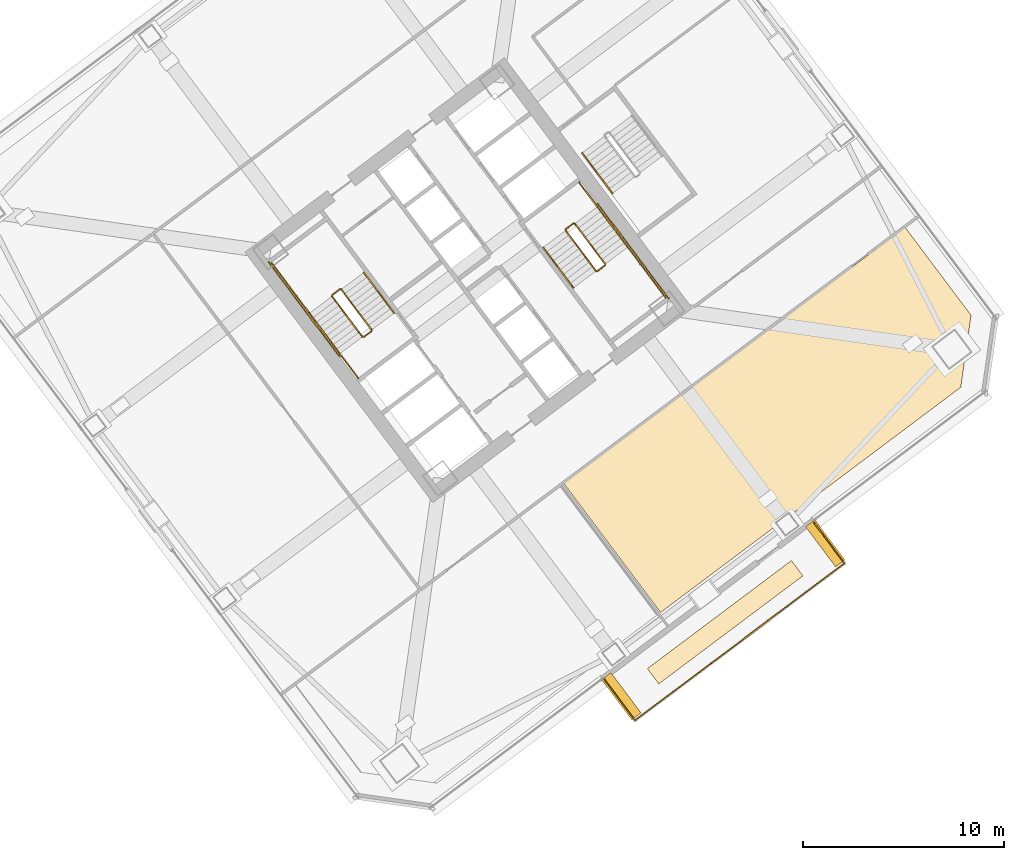
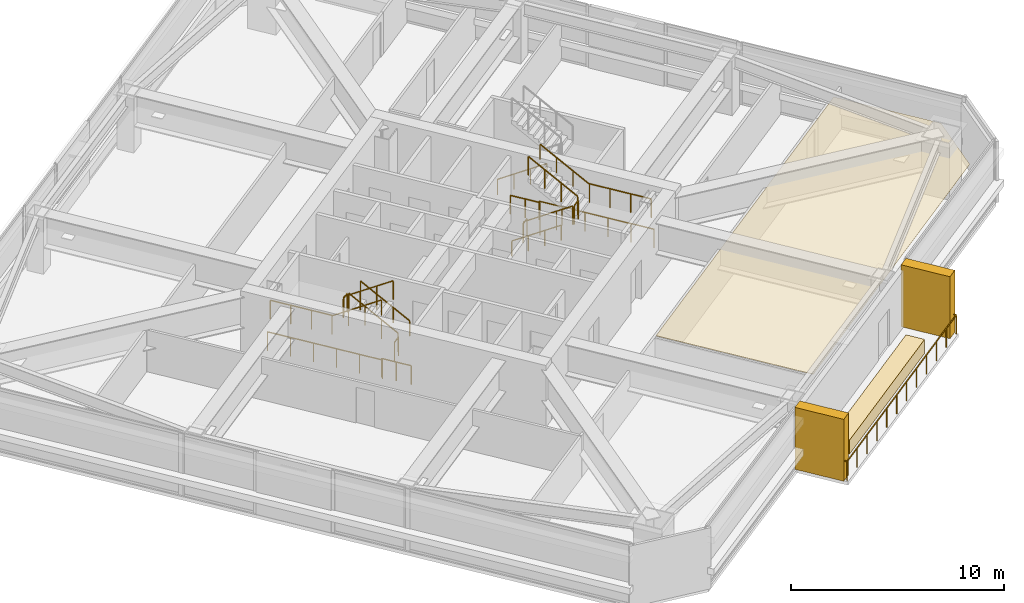
# One storey, part 46 of 49: 22 railings, 4 coverings.
"""IFC4 building model written with IfcOpenShell, lengths in metres."""

from ifc_helpers import new_model, si_unit, direction, frame, origin, origin_2d, place, context, subcontext, project, spatial, polyline, rectangle, outline, extrude, material, layer, layer_set, type_object, element, save


model = new_model("IFC4")

# Units and contexts
model_context = context("Model", 3, precision=1e-05, world=origin(), true_north=direction((0.0, 1.0)))
body_context = subcontext(model_context, "Body", "Model", "MODEL_VIEW")
ifc_project = project(units=[si_unit("LENGTHUNIT", "METRE"), si_unit("AREAUNIT", "SQUARE_METRE"), si_unit("VOLUMEUNIT", "CUBIC_METRE"), si_unit("PLANEANGLEUNIT", "RADIAN"), si_unit("MASSUNIT", "GRAM", prefix="KILO")], contexts=[model_context])

# Site, building, storey
site_placement = place(None, origin())
site = spatial("IfcSite", under=ifc_project, at=site_placement, CompositionType="ELEMENT")
building_placement = place(site_placement, origin())
building = spatial("IfcBuilding", under=site, at=building_placement, Name="Tashvorn Skyway Center", CompositionType="ELEMENT")
storey_placement = place(building_placement, frame((0.0, 0.0, 106.25)))
storey = spatial("IfcBuildingStorey", under=building, at=storey_placement, Name="L28", CompositionType="ELEMENT", Elevation=106.25)

# Coverings
ifc_material_1 = material(Name="Mineral-fibre acoustic ceiling tile on suspended grid")
ifc_layer_1 = layer(ifc_material_1, 0.02001953125)
ifc_layer_set_1 = layer_set([ifc_layer_1], Name="Mineral-fibre acoustic ceiling tile on suspended grid")
covering_type_1 = type_object("IfcCoveringType", Name="COV-CEIL-20", PredefinedType="CEILING", material=ifc_layer_set_1)
covering_1_placement = place(storey_placement, frame((0.0, 0.0, 2.373046875)))
element("IfcCovering", 1, at=covering_1_placement, inside=storey, type_object=covering_type_1, Name="Tower 2 L28 Security Control Room Acoustic Ceiling", PredefinedType="CEILING", context=body_context, shape_type="SweptSolid", body=[
    extrude(outline(polyline([(123.56396484375, 15.447998046875), (118.739990234375, 21.8798828125), (135.748046875, 34.635986328125), (139.035888671875, 30.251953125), (138.52392578125, 26.66796875), (123.56396484375, 15.447998046875)])), origin(), (0.0, 0.0, 1.0), 0.02001953125),
])
ifc_material_2 = material(Name="Precast concrete C40/50", Category="concrete")
ifc_layer_2 = layer(ifc_material_2, 0.35009765625)
ifc_layer_set_2 = layer_set([ifc_layer_2], Name="Precast concrete C40/50")
covering_type_2 = type_object("IfcCoveringType", Name="COV-STONE-TRIM", PredefinedType="CLADDING", material=ifc_layer_set_2)
for number, where, z_axis, x_axis, name in (
    (2, (131.77001953125, 18.889892578125, 0.0), (0.0, 0.0, 1.0), (-0.799999996291, -0.600000004945, 0.0), "Tower 2 L28 Sky Garden Loggia Pier L"),
    (3, (121.610107421875, 11.27001953125, 0.0), (0.0, 0.0, 1.0), (-0.799999996291, -0.600000004945, 0.0), "Tower 2 L28 Sky Garden Loggia Pier R"),
):
    element("IfcCovering", number, at=place(storey_placement, frame(where, z_axis=z_axis, x_axis=x_axis)), inside=storey, type_object=covering_type_2, Name=name, PredefinedType="CLADDING", context=body_context, shape_type="SweptSolid", body=[
        extrude(rectangle(XDim=0.580078125, YDim=2.5, at=origin_2d()), origin(), (0.0, 0.0, 1.0), 3.550048828125),
    ])
covering_2_placement = place(storey_placement, frame((126.780029296875, 14.9599609375, 0.0), z_axis=(0.0, 0.0, 1.0), x_axis=(-0.799999996291, -0.600000004945, 0.0)))
element("IfcCovering", 4, at=covering_2_placement, inside=storey, type_object=covering_type_2, Name="Tower 2 L28 Sky Garden Stone Planter Bed", PredefinedType="CLADDING", context=body_context, shape_type="SweptSolid", body=[
    extrude(rectangle(XDim=8.97607421875, YDim=0.949951171875, at=origin_2d()), origin(), (0.0, 0.0, 1.0), 0.800048828125),
])

# Railings
ifc_material_3 = material(Name="Galvanized steel S355", Category="steel")
railing_type_1 = type_object("IfcRailingType", Name="RAIL-GUARD-1120", PredefinedType="GUARDRAIL", material=ifc_material_3)
railing_1_placement = place(storey_placement, frame((120.783935546875, 12.087890625, 0.0)))
element("IfcRailing", 5, at=railing_1_placement, inside=storey, type_object=railing_type_1, Name="L28 Tower 2 Terrace Guardrail 01", PredefinedType="GUARDRAIL", context=body_context, shape_type="SweptSolid", body=[
    extrude(rectangle(XDim=0.048095703125, YDim=0.048095703125, at=origin_2d()), frame((0.0, 0.0, 1.09619140625), z_axis=(0.60001550166, -0.79998837352, 0.0), x_axis=(0.79998837352, 0.60001550166, 0.0)), (0.0, 0.0, 1.0), 2.519775390625),
    extrude(rectangle(XDim=0.0419921875, YDim=0.0419921875, at=origin_2d()), origin(), (0.0, 0.0, 1.0), 1.072021484375),
    extrude(rectangle(XDim=0.0419921875, YDim=0.0419921875, at=origin_2d()), frame((0.50390625, -0.671875, 0.0)), (0.0, 0.0, 1.0), 1.072021484375),
    extrude(rectangle(XDim=0.0419921875, YDim=0.0419921875, at=origin_2d()), frame((1.008056640625, -1.343994140625, 0.0)), (0.0, 0.0, 1.0), 1.072021484375),
    extrude(rectangle(XDim=0.0419921875, YDim=0.0419921875, at=origin_2d()), frame((1.511962890625, -2.015869140625, 0.0)), (0.0, 0.0, 1.0), 1.072021484375),
])
railing_2_placement = place(storey_placement, frame((122.2958984375, 10.072021484375, 0.0)))
element("IfcRailing", 6, at=railing_2_placement, inside=storey, type_object=railing_type_1, Name="L28 Tower 2 Terrace Guardrail 02", PredefinedType="GUARDRAIL", context=body_context, shape_type="SweptSolid", body=[
    extrude(rectangle(XDim=0.048095703125, YDim=0.048095703125, at=origin_2d()), frame((0.0, 0.0, 1.09619140625), z_axis=(0.800004493333, 0.599994008843, 0.0), x_axis=(-0.599994008843, 0.800004493333, 0.0)), (0.0, 0.0, 1.0), 13.0400390625),
    extrude(rectangle(XDim=0.0419921875, YDim=0.0419921875, at=origin_2d()), origin(), (0.0, 0.0, 1.0), 1.072021484375),
    extrude(rectangle(XDim=0.0419921875, YDim=0.0419921875, at=origin_2d()), frame((0.948486328125, 0.711181640625, 0.0)), (0.0, 0.0, 1.0), 1.072021484375),
    extrude(rectangle(XDim=0.0419921875, YDim=0.0419921875, at=origin_2d()), frame((1.896728515625, 1.422607421875, 0.0)), (0.0, 0.0, 1.0), 1.072021484375),
    extrude(rectangle(XDim=0.0419921875, YDim=0.0419921875, at=origin_2d()), frame((2.84521484375, 2.1337890625, 0.0)), (0.0, 0.0, 1.0), 1.072021484375),
    extrude(rectangle(XDim=0.0419921875, YDim=0.0419921875, at=origin_2d()), frame((3.79345703125, 2.844970703125, 0.0)), (0.0, 0.0, 1.0), 1.072021484375),
    extrude(rectangle(XDim=0.0419921875, YDim=0.0419921875, at=origin_2d()), frame((4.741943359375, 3.556396484375, 0.0)), (0.0, 0.0, 1.0), 1.072021484375),
    extrude(rectangle(XDim=0.0419921875, YDim=0.0419921875, at=origin_2d()), frame((5.690185546875, 4.267578125, 0.0)), (0.0, 0.0, 1.0), 1.072021484375),
    extrude(rectangle(XDim=0.0419921875, YDim=0.0419921875, at=origin_2d()), frame((6.638671875, 4.97900390625, 0.0)), (0.0, 0.0, 1.0), 1.072021484375),
    extrude(rectangle(XDim=0.0419921875, YDim=0.0419921875, at=origin_2d()), frame((7.5869140625, 5.690185546875, 0.0)), (0.0, 0.0, 1.0), 1.072021484375),
    extrude(rectangle(XDim=0.0419921875, YDim=0.0419921875, at=origin_2d()), frame((8.535400390625, 6.4013671875, 0.0)), (0.0, 0.0, 1.0), 1.072021484375),
    extrude(rectangle(XDim=0.0419921875, YDim=0.0419921875, at=origin_2d()), frame((9.483642578125, 7.11279296875, 0.0)), (0.0, 0.0, 1.0), 1.072021484375),
    extrude(rectangle(XDim=0.0419921875, YDim=0.0419921875, at=origin_2d()), frame((10.43212890625, 7.823974609375, 0.0)), (0.0, 0.0, 1.0), 1.072021484375),
])
railing_3_placement = place(storey_placement, frame((132.72802734375, 17.89599609375, 0.0)))
element("IfcRailing", 7, at=railing_3_placement, inside=storey, type_object=railing_type_1, Name="L28 Tower 2 Terrace Guardrail 03", PredefinedType="GUARDRAIL", context=body_context, shape_type="SweptSolid", body=[
    extrude(rectangle(XDim=0.048095703125, YDim=0.048095703125, at=origin_2d()), frame((0.0, 0.0, 1.09619140625), z_axis=(-0.599968998406, 0.800023250257, 0.0), x_axis=(-0.800023250257, -0.599968998406, 0.0)), (0.0, 0.0, 1.0), 2.52001953125),
    extrude(rectangle(XDim=0.0419921875, YDim=0.0419921875, at=origin_2d()), origin(), (0.0, 0.0, 1.0), 1.072021484375),
    extrude(rectangle(XDim=0.0419921875, YDim=0.0419921875, at=origin_2d()), frame((-0.50390625, 0.672119140625, 0.0)), (0.0, 0.0, 1.0), 1.072021484375),
    extrude(rectangle(XDim=0.0419921875, YDim=0.0419921875, at=origin_2d()), frame((-1.008056640625, 1.343994140625, 0.0)), (0.0, 0.0, 1.0), 1.072021484375),
    extrude(rectangle(XDim=0.0419921875, YDim=0.0419921875, at=origin_2d()), frame((-1.511962890625, 2.01611328125, 0.0)), (0.0, 0.0, 1.0), 1.072021484375),
])
ifc_material_4 = material(Name="Brushed stainless steel 316", Category="steel")
railing_type_2 = type_object("IfcRailingType", Name="RAIL-HAND-920", PredefinedType="HANDRAIL", material=ifc_material_4)
railing_4_placement = place(storey_placement, frame((110.2880859375, 30.365966796875, 0.177490234375)))
element("IfcRailing", 8, at=railing_4_placement, inside=storey, type_object=railing_type_2, Name="L28 ST-T2-1 stair handrail 1", PredefinedType="HANDRAIL", context=body_context, shape_type="SweptSolid", body=[
    extrude(rectangle(XDim=0.048095703125, YDim=0.048095703125, at=origin_2d()), frame((0.0, 0.0, 0.8759765625), z_axis=(-0.506801609611, 0.675680931896, 0.535357270211), x_axis=(-0.799976749893, -0.600030998891, 0.0)), (0.0, 0.0, 1.0), 2.98388671875),
    extrude(rectangle(XDim=0.0419921875, YDim=0.0419921875, at=origin_2d()), origin(), (0.0, 0.0, 1.0), 0.851806640625),
    extrude(rectangle(XDim=0.0419921875, YDim=0.0419921875, at=origin_2d()), frame((-0.504150390625, 0.672119140625, 0.532470703125)), (0.0, 0.0, 1.0), 0.851806640625),
    extrude(rectangle(XDim=0.0419921875, YDim=0.0419921875, at=origin_2d()), frame((-1.008056640625, 1.343994140625, 1.06494140625)), (0.0, 0.0, 1.0), 0.851806640625),
    extrude(rectangle(XDim=0.0419921875, YDim=0.0419921875, at=origin_2d()), frame((-1.51220703125, 2.01611328125, 1.597412109375)), (0.0, 0.0, 1.0), 0.851806640625),
])
railing_5_placement = place(storey_placement, frame((106.072021484375, 30.35400390625, 1.952392578125)))
element("IfcRailing", 9, at=railing_5_placement, inside=storey, type_object=railing_type_2, Name="L28 ST-T2-1 stair handrail 2", PredefinedType="HANDRAIL", context=body_context, shape_type="SweptSolid", body=[
    extrude(rectangle(XDim=0.048095703125, YDim=0.048095703125, at=origin_2d()), frame((0.0, 0.0, 0.8759765625), z_axis=(0.506718600913, -0.675679348675, 0.535437836974), x_axis=(0.800023250257, 0.599968998406, 0.0)), (0.0, 0.0, 1.0), 2.98388671875),
    extrude(rectangle(XDim=0.0419921875, YDim=0.0419921875, at=origin_2d()), origin(), (0.0, 0.0, 1.0), 0.851806640625),
    extrude(rectangle(XDim=0.0419921875, YDim=0.0419921875, at=origin_2d()), frame((0.50390625, -0.672119140625, 0.532470703125)), (0.0, 0.0, 1.0), 0.851806640625),
    extrude(rectangle(XDim=0.0419921875, YDim=0.0419921875, at=origin_2d()), frame((1.008056640625, -1.343994140625, 1.065185546875)), (0.0, 0.0, 1.0), 0.851806640625),
    extrude(rectangle(XDim=0.0419921875, YDim=0.0419921875, at=origin_2d()), frame((1.511962890625, -2.01611328125, 1.59765625)), (0.0, 0.0, 1.0), 0.851806640625),
])
railing_6_placement = place(storey_placement, frame((117.7119140625, 33.634033203125, 0.177490234375)))
element("IfcRailing", 10, at=railing_6_placement, inside=storey, type_object=railing_type_2, Name="L28 ST-T2-2 stair handrail 1", PredefinedType="HANDRAIL", context=body_context, shape_type="SweptSolid", body=[
    extrude(rectangle(XDim=0.048095703125, YDim=0.048095703125, at=origin_2d()), frame((0.0, 0.0, 0.8759765625), z_axis=(0.506801609611, -0.675680931896, 0.535357270211), x_axis=(0.799976749893, 0.600030998891, 0.0)), (0.0, 0.0, 1.0), 2.98388671875),
    extrude(rectangle(XDim=0.0419921875, YDim=0.0419921875, at=origin_2d()), origin(), (0.0, 0.0, 1.0), 0.851806640625),
    extrude(rectangle(XDim=0.0419921875, YDim=0.0419921875, at=origin_2d()), frame((0.504150390625, -0.672119140625, 0.532470703125)), (0.0, 0.0, 1.0), 0.851806640625),
    extrude(rectangle(XDim=0.0419921875, YDim=0.0419921875, at=origin_2d()), frame((1.008056640625, -1.343994140625, 1.06494140625)), (0.0, 0.0, 1.0), 0.851806640625),
    extrude(rectangle(XDim=0.0419921875, YDim=0.0419921875, at=origin_2d()), frame((1.51220703125, -2.01611328125, 1.597412109375)), (0.0, 0.0, 1.0), 0.851806640625),
])
railing_7_placement = place(storey_placement, frame((121.927978515625, 33.64599609375, 1.952392578125)))
element("IfcRailing", 11, at=railing_7_placement, inside=storey, type_object=railing_type_2, Name="L28 ST-T2-2 stair handrail 2", PredefinedType="HANDRAIL", context=body_context, shape_type="SweptSolid", body=[
    extrude(rectangle(XDim=0.048095703125, YDim=0.048095703125, at=origin_2d()), frame((0.0, 0.0, 0.8759765625), z_axis=(-0.506718600913, 0.675679348675, 0.535437836974), x_axis=(-0.800023250257, -0.599968998406, 0.0)), (0.0, 0.0, 1.0), 2.98388671875),
    extrude(rectangle(XDim=0.0419921875, YDim=0.0419921875, at=origin_2d()), origin(), (0.0, 0.0, 1.0), 0.851806640625),
    extrude(rectangle(XDim=0.0419921875, YDim=0.0419921875, at=origin_2d()), frame((-0.50390625, 0.672119140625, 0.532470703125)), (0.0, 0.0, 1.0), 0.851806640625),
    extrude(rectangle(XDim=0.0419921875, YDim=0.0419921875, at=origin_2d()), frame((-1.008056640625, 1.343994140625, 1.065185546875)), (0.0, 0.0, 1.0), 0.851806640625),
    extrude(rectangle(XDim=0.0419921875, YDim=0.0419921875, at=origin_2d()), frame((-1.511962890625, 2.01611328125, 1.59765625)), (0.0, 0.0, 1.0), 0.851806640625),
])
railing_8_placement = place(storey_placement, frame((119.656005859375, 38.342041015625, 0.177490234375)))
element("IfcRailing", 12, at=railing_8_placement, inside=storey, type_object=railing_type_2, Name="L28 ST-T2-3 stair handrail 1", PredefinedType="HANDRAIL", context=body_context, shape_type="SweptSolid", body=[
    extrude(rectangle(XDim=0.048095703125, YDim=0.048095703125, at=origin_2d()), frame((0.0, 0.0, 0.8759765625), z_axis=(0.506740800098, -0.675708949977, 0.535379469569), x_axis=(0.800023250257, 0.599968998406, 0.0)), (0.0, 0.0, 1.0), 2.983642578125),
    extrude(rectangle(XDim=0.0419921875, YDim=0.0419921875, at=origin_2d()), origin(), (0.0, 0.0, 1.0), 0.851806640625),
    extrude(rectangle(XDim=0.0419921875, YDim=0.0419921875, at=origin_2d()), frame((0.50390625, -0.672119140625, 0.532470703125)), (0.0, 0.0, 1.0), 0.851806640625),
    extrude(rectangle(XDim=0.0419921875, YDim=0.0419921875, at=origin_2d()), frame((1.008056640625, -1.343994140625, 1.06494140625)), (0.0, 0.0, 1.0), 0.851806640625),
    extrude(rectangle(XDim=0.0419921875, YDim=0.0419921875, at=origin_2d()), frame((1.511962890625, -2.01611328125, 1.597412109375)), (0.0, 0.0, 1.0), 0.851806640625),
])
ifc_material_5 = material(Name="Painted galvanized steel S355", Category="steel")
railing_type_3 = type_object("IfcRailingType", Name="RAIL-STGUARD-1100", PredefinedType="GUARDRAIL", material=ifc_material_5)
railing_9_placement = place(storey_placement, frame((109.16796875, 29.52587890625, 0.177490234375)))
element("IfcRailing", 13, at=railing_9_placement, inside=storey, type_object=railing_type_3, Name="L28 ST-T2-1 stair guard 1", PredefinedType="GUARDRAIL", context=body_context, shape_type="SweptSolid", body=[
    extrude(rectangle(XDim=0.048095703125, YDim=0.048095703125, at=origin_2d()), frame((0.0, 0.0, 1.076171875), z_axis=(-0.506740800098, 0.675708949977, 0.535379469569), x_axis=(-0.800023250257, -0.599968998406, 0.0)), (0.0, 0.0, 1.0), 2.983642578125),
    extrude(rectangle(XDim=0.0419921875, YDim=0.0419921875, at=origin_2d()), origin(), (0.0, 0.0, 1.0), 1.052001953125),
    extrude(rectangle(XDim=0.0419921875, YDim=0.0419921875, at=origin_2d()), frame((-0.50390625, 0.672119140625, 0.532470703125)), (0.0, 0.0, 1.0), 1.052001953125),
    extrude(rectangle(XDim=0.0419921875, YDim=0.0419921875, at=origin_2d()), frame((-1.008056640625, 1.343994140625, 1.06494140625)), (0.0, 0.0, 1.0), 1.052001953125),
    extrude(rectangle(XDim=0.0419921875, YDim=0.0419921875, at=origin_2d()), frame((-1.511962890625, 2.01611328125, 1.597412109375)), (0.0, 0.0, 1.0), 1.052001953125),
])
railing_10_placement = place(storey_placement, frame((107.5859375, 31.552001953125, 1.77490234375)))
element("IfcRailing", 14, at=railing_10_placement, inside=storey, type_object=railing_type_3, Name="L28 ST-T2-1 stair guard 2", PredefinedType="GUARDRAIL", context=body_context, shape_type="SweptSolid", body=[
    extrude(rectangle(XDim=0.048095703125, YDim=0.048095703125, at=origin_2d()), frame((0.0, 0.0, 1.076171875), z_axis=(-0.799938970639, -0.600081363861, 0.0), x_axis=(0.600081363861, -0.799938970639, 0.0)), (0.0, 0.0, 1.0), 0.47998046875),
    extrude(rectangle(XDim=0.0419921875, YDim=0.0419921875, at=origin_2d()), origin(), (0.0, 0.0, 1.0), 1.052001953125),
    extrude(rectangle(XDim=0.0419921875, YDim=0.0419921875, at=origin_2d()), frame((-0.384033203125, -0.2880859375, 0.0)), (0.0, 0.0, 1.0), 1.052001953125),
])
railing_11_placement = place(storey_placement, frame((106.072021484375, 30.35400390625, 1.77490234375)))
element("IfcRailing", 15, at=railing_11_placement, inside=storey, type_object=railing_type_3, Name="L28 ST-T2-1 stair guard 3", PredefinedType="GUARDRAIL", context=body_context, shape_type="SweptSolid", body=[
    extrude(rectangle(XDim=0.048095703125, YDim=0.048095703125, at=origin_2d()), frame((0.0, 0.0, 1.076171875), z_axis=(-0.599987638607, 0.800009270896, 0.0), x_axis=(-0.800009270896, -0.599987638607, 0.0)), (0.0, 0.0, 1.0), 3.16015625),
    extrude(rectangle(XDim=0.0419921875, YDim=0.0419921875, at=origin_2d()), origin(), (0.0, 0.0, 1.0), 1.052001953125),
    extrude(rectangle(XDim=0.0419921875, YDim=0.0419921875, at=origin_2d()), frame((-0.632080078125, 0.8427734375, 0.0)), (0.0, 0.0, 1.0), 1.052001953125),
    extrude(rectangle(XDim=0.0419921875, YDim=0.0419921875, at=origin_2d()), frame((-1.263916015625, 1.685302734375, 0.0)), (0.0, 0.0, 1.0), 1.052001953125),
    extrude(rectangle(XDim=0.0419921875, YDim=0.0419921875, at=origin_2d()), frame((-1.89599609375, 2.528076171875, 0.0)), (0.0, 0.0, 1.0), 1.052001953125),
])
railing_12_placement = place(storey_placement, frame((107.19189453125, 31.194091796875, 1.952392578125)))
element("IfcRailing", 16, at=railing_12_placement, inside=storey, type_object=railing_type_3, Name="L28 ST-T2-1 stair guard 4", PredefinedType="GUARDRAIL", context=body_context, shape_type="SweptSolid", body=[
    extrude(rectangle(XDim=0.048095703125, YDim=0.048095703125, at=origin_2d()), frame((0.0, 0.0, 1.076171875), z_axis=(0.506779409603, -0.675651334276, 0.53541563714), x_axis=(0.799976749893, 0.600030998891, 0.0)), (0.0, 0.0, 1.0), 2.98388671875),
    extrude(rectangle(XDim=0.0419921875, YDim=0.0419921875, at=origin_2d()), origin(), (0.0, 0.0, 1.0), 1.052001953125),
    extrude(rectangle(XDim=0.0419921875, YDim=0.0419921875, at=origin_2d()), frame((0.504150390625, -0.672119140625, 0.532470703125)), (0.0, 0.0, 1.0), 1.052001953125),
    extrude(rectangle(XDim=0.0419921875, YDim=0.0419921875, at=origin_2d()), frame((1.008056640625, -1.343994140625, 1.065185546875)), (0.0, 0.0, 1.0), 1.052001953125),
    extrude(rectangle(XDim=0.0419921875, YDim=0.0419921875, at=origin_2d()), frame((1.51220703125, -2.01611328125, 1.59765625)), (0.0, 0.0, 1.0), 1.052001953125),
])
railing_13_placement = place(storey_placement, frame((109.157958984375, 29.4560546875, 0.0)))
element("IfcRailing", 17, at=railing_13_placement, inside=storey, type_object=railing_type_3, Name="L28 ST-T2-1 stair guard 5", PredefinedType="GUARDRAIL", context=body_context, shape_type="SweptSolid", body=[
    extrude(rectangle(XDim=0.048095703125, YDim=0.048095703125, at=origin_2d()), frame((0.0, 0.0, 1.076171875), z_axis=(-0.799938970639, -0.600081363861, 0.0), x_axis=(0.600081363861, -0.799938970639, 0.0)), (0.0, 0.0, 1.0), 0.47998046875),
    extrude(rectangle(XDim=0.0419921875, YDim=0.0419921875, at=origin_2d()), origin(), (0.0, 0.0, 1.0), 1.052001953125),
    extrude(rectangle(XDim=0.0419921875, YDim=0.0419921875, at=origin_2d()), frame((-0.384033203125, -0.2880859375, 0.0)), (0.0, 0.0, 1.0), 1.052001953125),
])
railing_14_placement = place(storey_placement, frame((108.49609375, 27.1220703125, 0.0)))
element("IfcRailing", 18, at=railing_14_placement, inside=storey, type_object=railing_type_3, Name="L28 ST-T2-1 stair guard 6", PredefinedType="GUARDRAIL", context=body_context, shape_type="SweptSolid", body=[
    extrude(rectangle(XDim=0.048095703125, YDim=0.048095703125, at=origin_2d()), frame((0.0, 0.0, 1.076171875), z_axis=(-0.600102796382, 0.799922892393, 0.0), x_axis=(-0.799922892393, -0.600102796382, 0.0)), (0.0, 0.0, 1.0), 1.52001953125),
    extrude(rectangle(XDim=0.0419921875, YDim=0.0419921875, at=origin_2d()), origin(), (0.0, 0.0, 1.0), 1.052001953125),
    extrude(rectangle(XDim=0.0419921875, YDim=0.0419921875, at=origin_2d()), frame((-0.4560546875, 0.60791015625, 0.0)), (0.0, 0.0, 1.0), 1.052001953125),
    extrude(rectangle(XDim=0.0419921875, YDim=0.0419921875, at=origin_2d()), frame((-0.912109375, 1.2158203125, 0.0)), (0.0, 0.0, 1.0), 1.052001953125),
])
railing_15_placement = place(storey_placement, frame((107.56396484375, 28.197998046875, 0.0)))
element("IfcRailing", 19, at=railing_15_placement, inside=storey, type_object=railing_type_3, Name="L28 ST-T2-1 stair guard 7", PredefinedType="GUARDRAIL", context=body_context, shape_type="SweptSolid", body=[
    extrude(rectangle(XDim=0.048095703125, YDim=0.048095703125, at=origin_2d()), frame((0.0, 0.0, 1.076171875), z_axis=(-0.6, 0.8, 0.0), x_axis=(-0.8, -0.6, 0.0)), (0.0, 0.0, 1.0), 5.880126953125),
    extrude(rectangle(XDim=0.0419921875, YDim=0.0419921875, at=origin_2d()), origin(), (0.0, 0.0, 1.0), 1.052001953125),
    extrude(rectangle(XDim=0.0419921875, YDim=0.0419921875, at=origin_2d()), frame((-0.70556640625, 0.94091796875, 0.0)), (0.0, 0.0, 1.0), 1.052001953125),
    extrude(rectangle(XDim=0.0419921875, YDim=0.0419921875, at=origin_2d()), frame((-1.4111328125, 1.881591796875, 0.0)), (0.0, 0.0, 1.0), 1.052001953125),
    extrude(rectangle(XDim=0.0419921875, YDim=0.0419921875, at=origin_2d()), frame((-2.116943359375, 2.822509765625, 0.0)), (0.0, 0.0, 1.0), 1.052001953125),
    extrude(rectangle(XDim=0.0419921875, YDim=0.0419921875, at=origin_2d()), frame((-2.822509765625, 3.76318359375, 0.0)), (0.0, 0.0, 1.0), 1.052001953125),
    extrude(rectangle(XDim=0.0419921875, YDim=0.0419921875, at=origin_2d()), frame((-3.528076171875, 4.7041015625, 0.0)), (0.0, 0.0, 1.0), 1.052001953125),
])
railing_16_placement = place(storey_placement, frame((118.83203125, 34.47412109375, 0.177490234375)))
element("IfcRailing", 20, at=railing_16_placement, inside=storey, type_object=railing_type_3, Name="L28 ST-T2-2 stair guard 1", PredefinedType="GUARDRAIL", context=body_context, shape_type="SweptSolid", body=[
    extrude(rectangle(XDim=0.048095703125, YDim=0.048095703125, at=origin_2d()), frame((0.0, 0.0, 1.076171875), z_axis=(0.506740800098, -0.675708949977, 0.535379469569), x_axis=(0.800023250257, 0.599968998406, 0.0)), (0.0, 0.0, 1.0), 2.983642578125),
    extrude(rectangle(XDim=0.0419921875, YDim=0.0419921875, at=origin_2d()), origin(), (0.0, 0.0, 1.0), 1.052001953125),
    extrude(rectangle(XDim=0.0419921875, YDim=0.0419921875, at=origin_2d()), frame((0.50390625, -0.672119140625, 0.532470703125)), (0.0, 0.0, 1.0), 1.052001953125),
    extrude(rectangle(XDim=0.0419921875, YDim=0.0419921875, at=origin_2d()), frame((1.008056640625, -1.343994140625, 1.06494140625)), (0.0, 0.0, 1.0), 1.052001953125),
    extrude(rectangle(XDim=0.0419921875, YDim=0.0419921875, at=origin_2d()), frame((1.511962890625, -2.01611328125, 1.597412109375)), (0.0, 0.0, 1.0), 1.052001953125),
])
railing_17_placement = place(storey_placement, frame((120.4140625, 32.447998046875, 1.77490234375)))
element("IfcRailing", 21, at=railing_17_placement, inside=storey, type_object=railing_type_3, Name="L28 ST-T2-2 stair guard 2", PredefinedType="GUARDRAIL", context=body_context, shape_type="SweptSolid", body=[
    extrude(rectangle(XDim=0.048095703125, YDim=0.048095703125, at=origin_2d()), frame((0.0, 0.0, 1.076171875), z_axis=(0.799938970639, 0.600081363861, 0.0), x_axis=(-0.600081363861, 0.799938970639, 0.0)), (0.0, 0.0, 1.0), 0.47998046875),
    extrude(rectangle(XDim=0.0419921875, YDim=0.0419921875, at=origin_2d()), origin(), (0.0, 0.0, 1.0), 1.052001953125),
    extrude(rectangle(XDim=0.0419921875, YDim=0.0419921875, at=origin_2d()), frame((0.384033203125, 0.2880859375, 0.0)), (0.0, 0.0, 1.0), 1.052001953125),
])
railing_18_placement = place(storey_placement, frame((121.927978515625, 33.64599609375, 1.77490234375)))
element("IfcRailing", 22, at=railing_18_placement, inside=storey, type_object=railing_type_3, Name="L28 ST-T2-2 stair guard 3", PredefinedType="GUARDRAIL", context=body_context, shape_type="SweptSolid", body=[
    extrude(rectangle(XDim=0.048095703125, YDim=0.048095703125, at=origin_2d()), frame((0.0, 0.0, 1.076171875), z_axis=(0.599987638607, -0.800009270896, 0.0), x_axis=(0.800009270896, 0.599987638607, 0.0)), (0.0, 0.0, 1.0), 3.16015625),
    extrude(rectangle(XDim=0.0419921875, YDim=0.0419921875, at=origin_2d()), origin(), (0.0, 0.0, 1.0), 1.052001953125),
    extrude(rectangle(XDim=0.0419921875, YDim=0.0419921875, at=origin_2d()), frame((0.632080078125, -0.8427734375, 0.0)), (0.0, 0.0, 1.0), 1.052001953125),
    extrude(rectangle(XDim=0.0419921875, YDim=0.0419921875, at=origin_2d()), frame((1.263916015625, -1.685302734375, 0.0)), (0.0, 0.0, 1.0), 1.052001953125),
    extrude(rectangle(XDim=0.0419921875, YDim=0.0419921875, at=origin_2d()), frame((1.89599609375, -2.528076171875, 0.0)), (0.0, 0.0, 1.0), 1.052001953125),
])
railing_19_placement = place(storey_placement, frame((120.80810546875, 32.805908203125, 1.952392578125)))
element("IfcRailing", 23, at=railing_19_placement, inside=storey, type_object=railing_type_3, Name="L28 ST-T2-2 stair guard 4", PredefinedType="GUARDRAIL", context=body_context, shape_type="SweptSolid", body=[
    extrude(rectangle(XDim=0.048095703125, YDim=0.048095703125, at=origin_2d()), frame((0.0, 0.0, 1.076171875), z_axis=(-0.506779409603, 0.675651334276, 0.53541563714), x_axis=(-0.799976749893, -0.600030998891, 0.0)), (0.0, 0.0, 1.0), 2.98388671875),
    extrude(rectangle(XDim=0.0419921875, YDim=0.0419921875, at=origin_2d()), origin(), (0.0, 0.0, 1.0), 1.052001953125),
    extrude(rectangle(XDim=0.0419921875, YDim=0.0419921875, at=origin_2d()), frame((-0.504150390625, 0.672119140625, 0.532470703125)), (0.0, 0.0, 1.0), 1.052001953125),
    extrude(rectangle(XDim=0.0419921875, YDim=0.0419921875, at=origin_2d()), frame((-1.008056640625, 1.343994140625, 1.065185546875)), (0.0, 0.0, 1.0), 1.052001953125),
    extrude(rectangle(XDim=0.0419921875, YDim=0.0419921875, at=origin_2d()), frame((-1.51220703125, 2.01611328125, 1.59765625)), (0.0, 0.0, 1.0), 1.052001953125),
])
railing_20_placement = place(storey_placement, frame((118.842041015625, 34.5439453125, 0.0)))
element("IfcRailing", 24, at=railing_20_placement, inside=storey, type_object=railing_type_3, Name="L28 ST-T2-2 stair guard 5", PredefinedType="GUARDRAIL", context=body_context, shape_type="SweptSolid", body=[
    extrude(rectangle(XDim=0.048095703125, YDim=0.048095703125, at=origin_2d()), frame((0.0, 0.0, 1.076171875), z_axis=(0.799938970639, 0.600081363861, 0.0), x_axis=(-0.600081363861, 0.799938970639, 0.0)), (0.0, 0.0, 1.0), 0.47998046875),
    extrude(rectangle(XDim=0.0419921875, YDim=0.0419921875, at=origin_2d()), origin(), (0.0, 0.0, 1.0), 1.052001953125),
    extrude(rectangle(XDim=0.0419921875, YDim=0.0419921875, at=origin_2d()), frame((0.384033203125, 0.2880859375, 0.0)), (0.0, 0.0, 1.0), 1.052001953125),
])
railing_21_placement = place(storey_placement, frame((119.50390625, 36.8779296875, 0.0)))
element("IfcRailing", 25, at=railing_21_placement, inside=storey, type_object=railing_type_3, Name="L28 ST-T2-2 stair guard 6", PredefinedType="GUARDRAIL", context=body_context, shape_type="SweptSolid", body=[
    extrude(rectangle(XDim=0.048095703125, YDim=0.048095703125, at=origin_2d()), frame((0.0, 0.0, 1.076171875), z_axis=(0.600102796382, -0.799922892393, 0.0), x_axis=(0.799922892393, 0.600102796382, 0.0)), (0.0, 0.0, 1.0), 1.52001953125),
    extrude(rectangle(XDim=0.0419921875, YDim=0.0419921875, at=origin_2d()), origin(), (0.0, 0.0, 1.0), 1.052001953125),
    extrude(rectangle(XDim=0.0419921875, YDim=0.0419921875, at=origin_2d()), frame((0.4560546875, -0.60791015625, 0.0)), (0.0, 0.0, 1.0), 1.052001953125),
    extrude(rectangle(XDim=0.0419921875, YDim=0.0419921875, at=origin_2d()), frame((0.912109375, -1.2158203125, 0.0)), (0.0, 0.0, 1.0), 1.052001953125),
])
railing_22_placement = place(storey_placement, frame((120.43603515625, 35.802001953125, 0.0)))
element("IfcRailing", 26, at=railing_22_placement, inside=storey, type_object=railing_type_3, Name="L28 ST-T2-2 stair guard 7", PredefinedType="GUARDRAIL", context=body_context, shape_type="SweptSolid", body=[
    extrude(rectangle(XDim=0.048095703125, YDim=0.048095703125, at=origin_2d()), frame((0.0, 0.0, 1.076171875), z_axis=(0.6, -0.8, 0.0), x_axis=(0.8, 0.6, 0.0)), (0.0, 0.0, 1.0), 5.880126953125),
    extrude(rectangle(XDim=0.0419921875, YDim=0.0419921875, at=origin_2d()), origin(), (0.0, 0.0, 1.0), 1.052001953125),
    extrude(rectangle(XDim=0.0419921875, YDim=0.0419921875, at=origin_2d()), frame((0.70556640625, -0.94091796875, 0.0)), (0.0, 0.0, 1.0), 1.052001953125),
    extrude(rectangle(XDim=0.0419921875, YDim=0.0419921875, at=origin_2d()), frame((1.4111328125, -1.881591796875, 0.0)), (0.0, 0.0, 1.0), 1.052001953125),
    extrude(rectangle(XDim=0.0419921875, YDim=0.0419921875, at=origin_2d()), frame((2.116943359375, -2.822509765625, 0.0)), (0.0, 0.0, 1.0), 1.052001953125),
    extrude(rectangle(XDim=0.0419921875, YDim=0.0419921875, at=origin_2d()), frame((2.822509765625, -3.76318359375, 0.0)), (0.0, 0.0, 1.0), 1.052001953125),
    extrude(rectangle(XDim=0.0419921875, YDim=0.0419921875, at=origin_2d()), frame((3.528076171875, -4.7041015625, 0.0)), (0.0, 0.0, 1.0), 1.052001953125),
])

save(model, "model.ifc")
